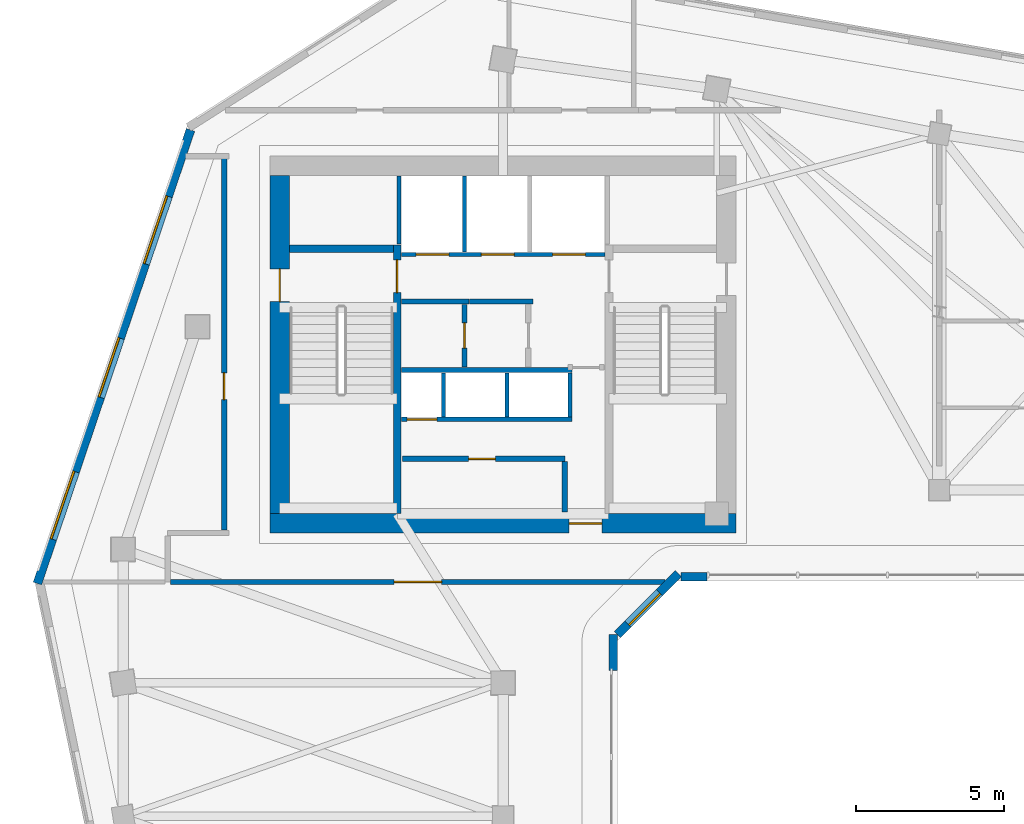
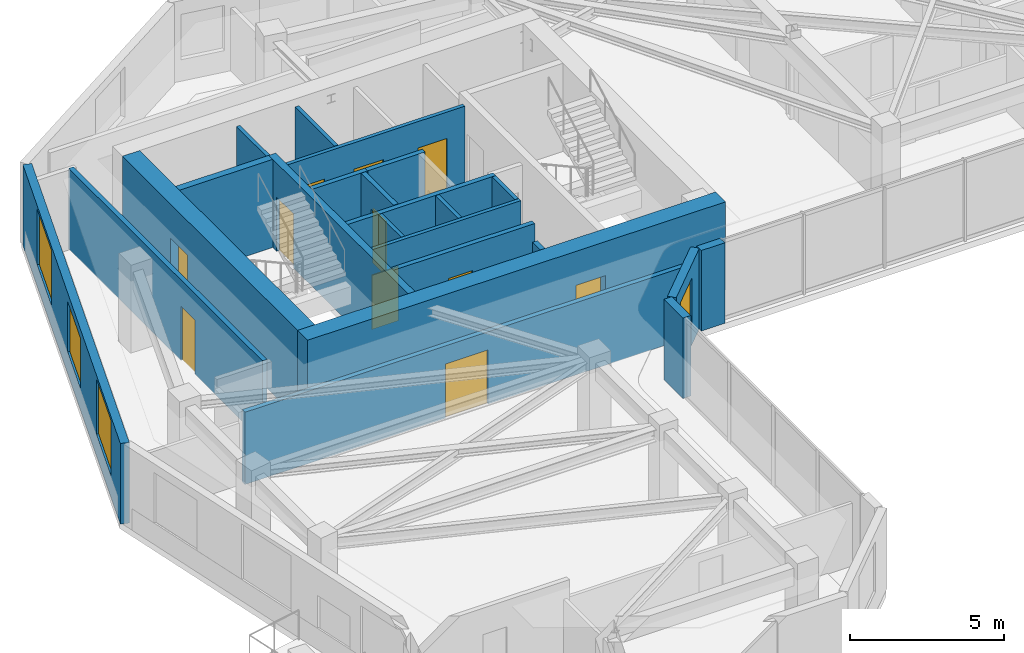
# One storey, part 5 of 10: 23 walls, 11 doors, 4 windows, 15 openings.
"""IFC4 building model written with IfcOpenShell, lengths in metres."""

from ifc_helpers import new_model, si_unit, direction, frame, frame_2d, origin, place, context, subcontext, project, spatial, rectangle, extrude, source, transform, mapped, material, layer, layer_set, type_object, element, fill, save


model = new_model("IFC4")

# Units and contexts
model_context = context("Model", 3, precision=1e-05, world=origin(), true_north=direction((0.0, 1.0)))
body_context = subcontext(model_context, "Body", "Model", "MODEL_VIEW")
ifc_project = project(units=[si_unit("LENGTHUNIT", "METRE"), si_unit("AREAUNIT", "SQUARE_METRE"), si_unit("VOLUMEUNIT", "CUBIC_METRE"), si_unit("PLANEANGLEUNIT", "RADIAN"), si_unit("MASSUNIT", "GRAM", prefix="KILO")], contexts=[model_context])

# Site, building, storey
site_placement = place(None, origin())
site = spatial("IfcSite", under=ifc_project, at=site_placement, CompositionType="ELEMENT")
building_placement = place(site_placement, origin())
building = spatial("IfcBuilding", under=site, at=building_placement, Name="Calvemar Wedge Station Tower", CompositionType="ELEMENT")
storey_placement = place(building_placement, frame((0.0, 0.0, 207.89990234375)))
storey = spatial("IfcBuildingStorey", under=building, at=storey_placement, Name="L52", CompositionType="ELEMENT", Elevation=207.89990234375)

# Wall, opening, door
ifc_material_1 = material(Name="Concrete C50", Category="concrete")
ifc_layer_1 = layer(ifc_material_1, 0.260009765625)
ifc_layer_set_1 = layer_set([ifc_layer_1], Name="Concrete C50")
wall_type_1 = type_object("IfcWallType", Name="SW-CORE-260", PredefinedType="SHEAR", material=ifc_layer_set_1)
wall_1_placement = place(storey_placement, frame((20.22998046875, 34.199951171875, 0.0), z_axis=(0.0, 0.0, 1.0), x_axis=(0.0, 1.0, 0.0)))
wall_1 = element("IfcWall", 1, at=wall_1_placement, inside=storey, type_object=wall_type_1, Name="Storey L52 Core Shear Wall SPINE-W", PredefinedType="SHEAR", context=body_context, shape_type="SweptSolid", body=[
    extrude(rectangle(XDim=9.06005859375, YDim=0.260009765625, at=frame_2d((4.530029296875, 0.0))), origin(), (0.0, 0.0, 1.0), 3.5),
])
shared_shape_1 = source(origin(), body_context, "Body", "SweptSolid", [
    extrude(rectangle(XDim=1.10009765625, YDim=2.14990234375, at=frame_2d((0.550048828125, 1.074951171875))), frame((0.0, 0.14013671875, 0.0), z_axis=(0.0, -1.0, 0.0), x_axis=(1.0, 0.0, 0.0)), (0.0, 0.0, 1.0), 0.280029296875),
])
opening_1_placement = place(wall_1_placement, frame((7.449951171875, 0.0, 0.0)))
opening_1 = element("IfcOpeningElement", 2, at=opening_1_placement, cuts=wall_1, Name="Opening FD-90", PredefinedType="OPENING", context=body_context, shape_type="MappedRepresentation", body=[
    mapped(shared_shape_1, transform((0.0, 0.0, 0.0), scale=1.0)),
])
ifc_material_2 = material(Name="Galvanized fire-rated steel door leaf P-90", Category="steel")
door_type_1 = type_object("IfcDoorType", Name="DR-FD90-1100", OperationType="NOTDEFINED", PredefinedType="DOOR", material=ifc_material_2)
shared_shape_2 = source(origin(), body_context, "Body", "SweptSolid", [
    extrude(rectangle(XDim=1.10009765625, YDim=2.14990234375, at=frame_2d((0.550048828125, 1.074951171875))), frame((0.0, 0.02490234375, 0.0), z_axis=(0.0, -1.0, 0.0), x_axis=(1.0, 0.0, 0.0)), (0.0, 0.0, 1.0), 0.050048828125),
])
door_1_placement = place(opening_1_placement, origin())
door_1 = element("IfcDoor", 3, at=door_1_placement, inside=storey, type_object=door_type_1, Name="L52 FF Lobby to Stair ST-C1 Door", OperationType="SINGLE_SWING_LEFT", OverallHeight=2.14990234375, OverallWidth=1.10009765625, PredefinedType="DOOR", context=body_context, shape_type="MappedRepresentation", body=[
    mapped(shared_shape_2, transform((0.0, 0.0, 0.0), scale=1.0)),
])
fill(opening_1, door_1)

# Wall
wall_2_placement = place(storey_placement, frame((16.60009765625, 43.1298828125, 0.0), z_axis=(0.0, 0.0, 1.0), x_axis=(1.0, 0.0, 0.0)))
element("IfcWall", 4, at=wall_2_placement, inside=storey, type_object=wall_type_1, Name="Storey L52 Core Shear Wall STC1-N", PredefinedType="SHEAR", context=body_context, shape_type="SweptSolid", body=[
    extrude(rectangle(XDim=3.5, YDim=0.260009765625, at=frame_2d((1.75, 0.0))), origin(), (0.0, 0.0, 1.0), 3.5),
])

# Wall, opening, door
ifc_material_3 = material(Name="Concrete C60", Category="concrete")
ifc_layer_2 = layer(ifc_material_3, 0.64990234375)
ifc_layer_set_2 = layer_set([ifc_layer_2], Name="Concrete C60")
wall_type_2 = type_object("IfcWallType", Name="SW-CORE-650", PredefinedType="SHEAR", material=ifc_layer_set_2)
wall_3_placement = place(storey_placement, frame((15.949951171875, 33.875, 0.0), z_axis=(0.0, 0.0, 1.0), x_axis=(1.0, 0.0, 0.0)))
wall_3 = element("IfcWall", 5, at=wall_3_placement, inside=storey, type_object=wall_type_2, Name="Storey L52 Core Shear Wall S", PredefinedType="SHEAR", context=body_context, shape_type="SweptSolid", body=[
    extrude(rectangle(XDim=15.699951171875, YDim=0.64990234375, at=frame_2d((7.85009765625, 0.0))), origin(), (0.0, 0.0, 1.0), 3.5),
])
shared_shape_3 = source(origin(), body_context, "Body", "SweptSolid", [
    extrude(rectangle(XDim=1.10009765625, YDim=2.14990234375, at=frame_2d((0.550048828125, 1.074951171875))), frame((0.0, 0.3349609375, 0.0), z_axis=(0.0, -1.0, 0.0), x_axis=(1.0, 0.0, 0.0)), (0.0, 0.0, 1.0), 0.669921875),
])
opening_2_placement = place(wall_3_placement, frame((10.080078125, 0.0, 0.0)))
opening_2 = element("IfcOpeningElement", 6, at=opening_2_placement, cuts=wall_3, Name="Opening FD-90", PredefinedType="OPENING", context=body_context, shape_type="MappedRepresentation", body=[
    mapped(shared_shape_3, transform((0.0, 0.0, 0.0), scale=1.0)),
])
door_2_placement = place(opening_2_placement, origin())
door_2 = element("IfcDoor", 7, at=door_2_placement, inside=storey, type_object=door_type_1, Name="L52 Passenger Lift Lobby Door", OperationType="SINGLE_SWING_LEFT", OverallHeight=2.14990234375, OverallWidth=1.10009765625, PredefinedType="DOOR", context=body_context, shape_type="MappedRepresentation", body=[
    mapped(shared_shape_2, transform((0.0, 0.0, 0.0), scale=1.0)),
])
fill(opening_2, door_2)

wall_4_placement = place(storey_placement, frame((16.27490234375, 34.199951171875, 0.0), z_axis=(0.0, 0.0, 1.0), x_axis=(0.0, 1.0, 0.0)))
wall_4 = element("IfcWall", 8, at=wall_4_placement, inside=storey, type_object=wall_type_2, Name="Storey L52 Core Shear Wall W", PredefinedType="SHEAR", context=body_context, shape_type="SweptSolid", body=[
    extrude(rectangle(XDim=11.400146484375, YDim=0.64990234375, at=frame_2d((5.7001953125, 0.0))), origin(), (0.0, 0.0, 1.0), 3.5),
])
opening_3_placement = place(wall_4_placement, frame((7.14990234375, 0.0, 0.0)))
opening_3 = element("IfcOpeningElement", 9, at=opening_3_placement, cuts=wall_4, Name="Opening FD-90", PredefinedType="OPENING", context=body_context, shape_type="MappedRepresentation", body=[
    mapped(shared_shape_3, transform((0.0, 0.0, 0.0), scale=1.0)),
])
door_3_placement = place(opening_3_placement, origin())
door_3 = element("IfcDoor", 10, at=door_3_placement, inside=storey, type_object=door_type_1, Name="L52 West Corridor to Exit Stair ST-C1 Door", OperationType="SINGLE_SWING_LEFT", OverallHeight=2.14990234375, OverallWidth=1.10009765625, PredefinedType="DOOR", context=body_context, shape_type="MappedRepresentation", body=[
    mapped(shared_shape_2, transform((0.0, 0.0, 0.0), scale=1.0)),
])
fill(opening_3, door_3)

# Walls
ifc_material_4 = material(Name="Double-stud fire-rated corridor partition")
ifc_layer_3 = layer(ifc_material_4, 0.179931640625)
ifc_layer_set_3 = layer_set([ifc_layer_3], Name="Double-stud fire-rated corridor partition")
wall_type_3 = type_object("IfcWallType", Name="W-CORR-180", PredefinedType="PARTITIONING", material=ifc_layer_set_3)
wall_5_placement = place(storey_placement, frame((22.659912109375, 41.35009765625, 0.0), z_axis=(0.0, 0.0, 1.0), x_axis=(-1.0, 0.0, 0.0)))
element("IfcWall", 11, at=wall_5_placement, inside=storey, type_object=wall_type_3, Name="Storey L52 Interior Partition WL-L52-001", PredefinedType="PARTITIONING", context=body_context, shape_type="SweptSolid", body=[
    extrude(rectangle(XDim=2.280029296875, YDim=0.179931640625, at=frame_2d((1.14013671875, 0.0))), origin(), (0.0, 0.0, 1.0), 3.2001953125),
])
wall_6_placement = place(storey_placement, frame((24.81005859375, 41.35009765625, 0.0), z_axis=(0.0, 0.0, 1.0), x_axis=(-1.0, 0.0, 0.0)))
element("IfcWall", 12, at=wall_6_placement, inside=storey, type_object=wall_type_3, Name="Storey L52 Interior Partition WL-L52-002", PredefinedType="PARTITIONING", context=body_context, shape_type="SweptSolid", body=[
    extrude(rectangle(XDim=2.14794921875, YDim=0.179931640625, at=frame_2d((1.073974609375, 0.0))), origin(), (0.0, 0.0, 1.0), 3.2001953125),
])

# Wall, opening, door
wall_7_placement = place(storey_placement, frame((22.5, 41.256103515625, 0.0), z_axis=(0.0, 0.0, 1.0), x_axis=(0.0, -1.0, 0.0)))
wall_7 = element("IfcWall", 13, at=wall_7_placement, inside=storey, type_object=wall_type_3, Name="Storey L52 Interior Partition WL-L52-003", PredefinedType="PARTITIONING", context=body_context, shape_type="SweptSolid", body=[
    extrude(rectangle(XDim=2.106201171875, YDim=0.179931640625, at=frame_2d((1.05322265625, 0.0))), origin(), (0.0, 0.0, 1.0), 3.2001953125),
])
shared_shape_4 = source(origin(), body_context, "Body", "SweptSolid", [
    extrude(rectangle(XDim=0.85009765625, YDim=2.14990234375, at=frame_2d((0.425048828125, 1.074951171875))), frame((0.0, 0.10009765625, 0.0), z_axis=(0.0, -1.0, 0.0), x_axis=(1.0, 0.0, 0.0)), (0.0, 0.0, 1.0), 0.199951171875),
])
opening_4_placement = place(wall_7_placement, frame((0.6279296875, 0.0, 0.0)))
opening_4 = element("IfcOpeningElement", 14, at=opening_4_placement, cuts=wall_7, Name="Opening FD-60S", PredefinedType="OPENING", context=body_context, shape_type="MappedRepresentation", body=[
    mapped(shared_shape_4, transform((0.0, 0.0, 0.0), scale=1.0)),
])
ifc_material_5 = material(Name="Fire-rated steel and hardwood service door EI 60", Category="steel")
door_type_2 = type_object("IfcDoorType", Name="DR-CORE-FD60-850", OperationType="NOTDEFINED", PredefinedType="DOOR", material=ifc_material_5)
shared_shape_5 = source(origin(), body_context, "Body", "SweptSolid", [
    extrude(rectangle(XDim=0.85009765625, YDim=2.14990234375, at=frame_2d((0.425048828125, 1.074951171875))), frame((0.0, 0.02490234375, 0.0), z_axis=(0.0, -1.0, 0.0), x_axis=(1.0, 0.0, 0.0)), (0.0, 0.0, 1.0), 0.050048828125),
])
door_4_placement = place(opening_4_placement, origin())
door_4 = element("IfcDoor", 15, at=door_4_placement, inside=storey, type_object=door_type_2, Name="L52 IT and Telecoms Room Door", OperationType="SINGLE_SWING_RIGHT", OverallHeight=2.14990234375, OverallWidth=0.85009765625, PredefinedType="DOOR", context=body_context, shape_type="MappedRepresentation", body=[
    mapped(shared_shape_5, transform((0.0, 0.0, 0.0), scale=1.0)),
])
fill(opening_4, door_4)

wall_8_placement = place(storey_placement, frame((20.419921875, 36.050048828125, 0.0), z_axis=(0.0, 0.0, 1.0), x_axis=(1.0, 0.0, 0.0)))
wall_8 = element("IfcWall", 16, at=wall_8_placement, inside=storey, type_object=wall_type_3, Name="Storey L52 Interior Partition WL-L52-006", PredefinedType="PARTITIONING", context=body_context, shape_type="SweptSolid", body=[
    extrude(rectangle(XDim=5.4599609375, YDim=0.179931640625, at=frame_2d((2.72998046875, 0.0))), origin(), (0.0, 0.0, 1.0), 3.2001953125),
])
shared_shape_6 = source(origin(), body_context, "Body", "SweptSolid", [
    extrude(rectangle(XDim=0.89990234375, YDim=2.14990234375, at=frame_2d((0.449951171875, 1.074951171875))), frame((0.0, 0.10009765625, 0.0), z_axis=(0.0, -1.0, 0.0), x_axis=(1.0, 0.0, 0.0)), (0.0, 0.0, 1.0), 0.199951171875),
])
opening_5_placement = place(wall_8_placement, frame((2.219482421875, 0.0, 0.0)))
opening_5 = element("IfcOpeningElement", 17, at=opening_5_placement, cuts=wall_8, Name="Opening FD-60", PredefinedType="OPENING", context=body_context, shape_type="MappedRepresentation", body=[
    mapped(shared_shape_6, transform((0.0, 0.0, 0.0), scale=1.0)),
])
ifc_material_6 = material(Name="Fire-rated acoustic timber-core entrance door EI 60", Category="wood")
door_type_3 = type_object("IfcDoorType", Name="DR-FD60-900", OperationType="NOTDEFINED", PredefinedType="DOOR", material=ifc_material_6)
shared_shape_7 = source(origin(), body_context, "Body", "SweptSolid", [
    extrude(rectangle(XDim=0.89990234375, YDim=2.14990234375, at=frame_2d((0.449951171875, 1.074951171875))), frame((0.0, 0.02490234375, 0.0), z_axis=(0.0, -1.0, 0.0), x_axis=(1.0, 0.0, 0.0)), (0.0, 0.0, 1.0), 0.050048828125),
])
door_5_placement = place(opening_5_placement, origin())
door_5 = element("IfcDoor", 18, at=door_5_placement, inside=storey, type_object=door_type_3, Name="L52 Parcel and Resident Store Door", OperationType="SINGLE_SWING_LEFT", OverallHeight=2.14990234375, OverallWidth=0.89990234375, PredefinedType="DOOR", context=body_context, shape_type="MappedRepresentation", body=[
    mapped(shared_shape_7, transform((0.0, 0.0, 0.0), scale=1.0)),
])
fill(opening_5, door_5)

# Wall
wall_9_placement = place(storey_placement, frame((25.8798828125, 35.9560546875, 0.0), z_axis=(0.0, 0.0, 1.0), x_axis=(0.0, -1.0, 0.0)))
element("IfcWall", 19, at=wall_9_placement, inside=storey, type_object=wall_type_3, Name="Storey L52 Interior Partition WL-L52-007", PredefinedType="PARTITIONING", context=body_context, shape_type="SweptSolid", body=[
    extrude(rectangle(XDim=1.7060546875, YDim=0.179931640625, at=frame_2d((0.85302734375, 0.0))), origin(), (0.0, 0.0, 1.0), 2.4921875),
])

# Wall, opening, door
wall_10_placement = place(storey_placement, frame((29.26513671875, 31.89990234375, 0.0), z_axis=(0.0, 0.0, 1.0), x_axis=(-1.0, 0.0, 0.0)))
wall_10 = element("IfcWall", 20, at=wall_10_placement, inside=storey, type_object=wall_type_3, Name="Storey L52 Interior Partition WL-L52-010", PredefinedType="PARTITIONING", context=body_context, shape_type="SweptSolid", body=[
    extrude(rectangle(XDim=16.671142578125, YDim=0.179931640625, at=frame_2d((8.33544921875, 0.0))), origin(), (0.0, 0.0, 1.0), 2.869140625),
])
shared_shape_8 = source(origin(), body_context, "Body", "SweptSolid", [
    extrude(rectangle(XDim=1.60009765625, YDim=2.14990234375, at=frame_2d((0.800048828125, 1.074951171875))), frame((0.0, 0.10009765625, 0.0), z_axis=(0.0, -1.0, 0.0), x_axis=(1.0, 0.0, 0.0)), (0.0, 0.0, 1.0), 0.199951171875),
])
opening_6_placement = place(wall_10_placement, frame((7.53564453125, 0.0, 0.0)))
opening_6 = element("IfcOpeningElement", 21, at=opening_6_placement, cuts=wall_10, Name="Opening DD-160", PredefinedType="OPENING", context=body_context, shape_type="MappedRepresentation", body=[
    mapped(shared_shape_8, transform((0.0, 0.0, 0.0), scale=1.0)),
])
ifc_material_7 = material(Name="Double-leaf fire-rated lobby door EI 60")
door_type_4 = type_object("IfcDoorType", Name="DR-DBL-1600", OperationType="DOUBLE_DOOR_SINGLE_SWING", PredefinedType="DOOR", material=ifc_material_7)
shared_shape_9 = source(origin(), body_context, "Body", "SweptSolid", [
    extrude(rectangle(XDim=1.60009765625, YDim=2.14990234375, at=frame_2d((0.800048828125, 1.074951171875))), frame((0.0, 0.02490234375, 0.0), z_axis=(0.0, -1.0, 0.0), x_axis=(1.0, 0.0, 0.0)), (0.0, 0.0, 1.0), 0.050048828125),
])
door_6_placement = place(opening_6_placement, origin())
door_6 = element("IfcDoor", 22, at=door_6_placement, inside=storey, type_object=door_type_4, Name="L52 Resident Banquet Dining Hall Door", OperationType="SINGLE_SWING_RIGHT", OverallHeight=2.14990234375, OverallWidth=1.60009765625, PredefinedType="DOOR", context=body_context, shape_type="MappedRepresentation", body=[
    mapped(shared_shape_9, transform((0.0, 0.0, 0.0), scale=1.0)),
])
fill(opening_6, door_6)

wall_11_placement = place(storey_placement, frame((14.39990234375, 33.64404296875, 0.0), z_axis=(0.0, 0.0, 1.0), x_axis=(0.0, 1.0, 0.0)))
wall_11 = element("IfcWall", 23, at=wall_11_placement, inside=storey, type_object=wall_type_3, Name="Storey L52 Interior Partition WL-L52-011", PredefinedType="PARTITIONING", context=body_context, shape_type="SweptSolid", body=[
    extrude(rectangle(XDim=12.60595703125, YDim=0.179931640625, at=frame_2d((6.302978515625, 0.0))), origin(), (0.0, 0.0, 1.0), 3.2001953125),
])
opening_7_placement = place(wall_11_placement, frame((4.399169921875, 0.0, 0.0)))
opening_7 = element("IfcOpeningElement", 24, at=opening_7_placement, cuts=wall_11, Name="Opening D-01", PredefinedType="OPENING", context=body_context, shape_type="MappedRepresentation", body=[
    mapped(shared_shape_6, transform((0.0, 0.0, 0.0), scale=1.0)),
])
ifc_material_8 = material(Name="Architectural hardwood acoustic swing door", Category="wood")
door_type_5 = type_object("IfcDoorType", Name="DR-INT-900", OperationType="NOTDEFINED", PredefinedType="DOOR", material=ifc_material_8)
shared_shape_10 = source(origin(), body_context, "Body", "SweptSolid", [
    extrude(rectangle(XDim=0.89990234375, YDim=2.14990234375, at=frame_2d((0.449951171875, 1.074951171875))), frame((0.0, 0.02490234375, 0.0), z_axis=(0.0, -1.0, 0.0), x_axis=(1.0, 0.0, 0.0)), (0.0, 0.0, 1.0), 0.050048828125),
])
door_7_placement = place(opening_7_placement, origin())
door_7 = element("IfcDoor", 25, at=door_7_placement, inside=storey, type_object=door_type_5, Name="L52 Resident Reading Lounge Door", OperationType="SINGLE_SWING_RIGHT", OverallHeight=2.14990234375, OverallWidth=0.89990234375, PredefinedType="DOOR", context=body_context, shape_type="MappedRepresentation", body=[
    mapped(shared_shape_10, transform((0.0, 0.0, 0.0), scale=1.0)),
])
fill(opening_7, door_7)

# Wall
ifc_material_9 = material(Name="Precast concrete C45", Category="concrete")
ifc_layer_4 = layer(ifc_material_9, 0.300048828125)
ifc_layer_set_4 = layer_set([ifc_layer_4], Name="Precast concrete C45")
wall_type_4 = type_object("IfcWallType", Name="W-EXT-GFRC-300", PredefinedType="SOLIDWALL", material=ifc_layer_set_4)
wall_12_placement = place(storey_placement, frame((27.513916015625, 28.90869140625, 0.0), z_axis=(0.0, 0.0, 1.0), x_axis=(0.0, 1.0, 0.0)))
element("IfcWall", 26, at=wall_12_placement, inside=storey, type_object=wall_type_4, Name="Storey L52 Bronze GFRC Corner Pier 4B", PredefinedType="SOLIDWALL", context=body_context, shape_type="SweptSolid", body=[
    extrude(rectangle(XDim=1.227294921875, YDim=0.300048828125, at=frame_2d((0.61376953125, 0.0))), origin(), (0.0, 0.0, 1.0), 3.2001953125),
])

# Wall, opening, window
wall_13_placement = place(storey_placement, frame((27.652099609375, 30.1240234375, 0.0), z_axis=(0.0, 0.0, 1.0), x_axis=(0.707064797706, 0.707148762175, 0.0)))
wall_13 = element("IfcWall", 27, at=wall_13_placement, inside=storey, type_object=wall_type_4, Name="Storey L52 Bronze GFRC Exterior Wall 5", PredefinedType="SOLIDWALL", context=body_context, shape_type="SweptSolid", body=[
    extrude(rectangle(XDim=2.90771484375, YDim=0.300048828125, at=frame_2d((1.453857421875, 0.0))), origin(), (0.0, 0.0, 1.0), 3.2001953125),
])
shared_shape_11 = source(origin(), body_context, "Body", "SweptSolid", [
    extrude(rectangle(XDim=1.5, YDim=1.800048828125, at=frame_2d((0.75, 0.89990234375))), frame((0.0, 0.16015625, 0.0), z_axis=(0.0, -1.0, 0.0), x_axis=(1.0, 0.0, 0.0)), (0.0, 0.0, 1.0), 0.320068359375),
])
opening_8_placement = place(wall_13_placement, frame((0.498046875, 0.0, 0.85009765625)))
opening_8 = element("IfcOpeningElement", 28, at=opening_8_placement, cuts=wall_13, Name="Opening W3", PredefinedType="OPENING", context=body_context, shape_type="MappedRepresentation", body=[
    mapped(shared_shape_11, transform((0.0, 0.0, 0.0), scale=1.0)),
])
ifc_material_10 = material(Name="Low-E laminated insulated glass", Category="glass")
window_type_1 = type_object("IfcWindowType", Name="WIN-EXT-3", PartitioningType="SINGLE_PANEL", PredefinedType="WINDOW", material=ifc_material_10)
shared_shape_12 = source(origin(), body_context, "Body", "SweptSolid", [
    extrude(rectangle(XDim=1.5, YDim=1.800048828125, at=frame_2d((0.75, 0.89990234375))), frame((0.0, -0.014892578125, 0.0), z_axis=(0.0, -1.0, 0.0), x_axis=(1.0, 0.0, 0.0)), (0.0, 0.0, 1.0), 0.06005859375),
])
window_1_placement = place(opening_8_placement, origin())
window_1 = element("IfcWindow", 29, at=window_1_placement, inside=storey, type_object=window_type_1, Name="Storey L52 Recessed Window 5.1", OverallHeight=1.800048828125, OverallWidth=1.5, PartitioningType="SINGLE_PANEL", PredefinedType="WINDOW", context=body_context, shape_type="MappedRepresentation", body=[
    mapped(shared_shape_12, transform((0.0, 0.0, 0.0), scale=1.0)),
])
fill(opening_8, window_1)

# Wall
wall_14_placement = place(storey_placement, frame((29.797119140625, 32.073974609375, 0.0), z_axis=(0.0, 0.0, 1.0), x_axis=(1.0, 0.0, 0.0)))
element("IfcWall", 30, at=wall_14_placement, inside=storey, type_object=wall_type_4, Name="Storey L52 Bronze GFRC Corner Pier 6A", PredefinedType="SOLIDWALL", context=body_context, shape_type="SweptSolid", body=[
    extrude(rectangle(XDim=0.88232421875, YDim=0.300048828125, at=frame_2d((0.441162109375, 0.0))), origin(), (0.0, 0.0, 1.0), 3.2001953125),
])

# Wall, openings, windows
wall_15_placement = place(storey_placement, frame((13.2685546875, 47.1337890625, 0.0), z_axis=(0.0, 0.0, 1.0), x_axis=(-0.319920776449, -0.947444297464, 0.0)))
wall_15 = element("IfcWall", 31, at=wall_15_placement, inside=storey, type_object=wall_type_4, Name="Storey L52 Bronze GFRC Exterior Wall 12", PredefinedType="SOLIDWALL", context=body_context, shape_type="SweptSolid", body=[
    extrude(rectangle(XDim=16.13330078125, YDim=0.300048828125, at=frame_2d((8.066650390625, 0.0))), origin(), (0.0, 0.0, 1.0), 3.2001953125),
])
shared_shape_13 = source(origin(), body_context, "Body", "SweptSolid", [
    extrude(rectangle(XDim=2.39990234375, YDim=2.199951171875, at=frame_2d((1.199951171875, 1.10009765625))), frame((0.0, 0.16015625, 0.0), z_axis=(0.0, -1.0, 0.0), x_axis=(1.0, 0.0, 0.0)), (0.0, 0.0, 1.0), 0.320068359375),
])
opening_9_placement = place(wall_15_placement, frame((2.363037109375, 0.0, 0.85009765625)))
opening_9 = element("IfcOpeningElement", 32, at=opening_9_placement, cuts=wall_15, Name="Opening W1", PredefinedType="OPENING", context=body_context, shape_type="MappedRepresentation", body=[
    mapped(shared_shape_13, transform((0.0, 0.0, 0.0), scale=1.0)),
])
shared_shape_14 = source(origin(), body_context, "Body", "SweptSolid", [
    extrude(rectangle(XDim=2.10009765625, YDim=2.0, at=frame_2d((1.050048828125, 1.0))), frame((0.0, 0.16015625, 0.0), z_axis=(0.0, -1.0, 0.0), x_axis=(1.0, 0.0, 0.0)), (0.0, 0.0, 1.0), 0.320068359375),
])
opening_10_placement = place(wall_15_placement, frame((7.409912109375, 0.0, 0.85009765625)))
opening_10 = element("IfcOpeningElement", 33, at=opening_10_placement, cuts=wall_15, Name="Opening W4", PredefinedType="OPENING", context=body_context, shape_type="MappedRepresentation", body=[
    mapped(shared_shape_14, transform((0.0, 0.0, 0.0), scale=1.0)),
])
opening_11_placement = place(wall_15_placement, frame((12.156982421875, 0.0, 0.85009765625)))
opening_11 = element("IfcOpeningElement", 34, at=opening_11_placement, cuts=wall_15, Name="Opening W1", PredefinedType="OPENING", context=body_context, shape_type="MappedRepresentation", body=[
    mapped(shared_shape_13, transform((0.0, 0.0, 0.0), scale=1.0)),
])
window_type_2 = type_object("IfcWindowType", Name="WIN-EXT-4", PartitioningType="SINGLE_PANEL", PredefinedType="WINDOW", material=ifc_material_10)
shared_shape_15 = source(origin(), body_context, "Body", "SweptSolid", [
    extrude(rectangle(XDim=2.10009765625, YDim=2.0, at=frame_2d((1.050048828125, 1.0))), frame((0.0, -0.014892578125, 0.0), z_axis=(0.0, -1.0, 0.0), x_axis=(1.0, 0.0, 0.0)), (0.0, 0.0, 1.0), 0.06005859375),
])
window_2_placement = place(opening_10_placement, origin())
window_2 = element("IfcWindow", 35, at=window_2_placement, inside=storey, type_object=window_type_2, Name="Storey L52 Recessed Window 12.2", OverallHeight=2.0, OverallWidth=2.10009765625, PartitioningType="SINGLE_PANEL", PredefinedType="WINDOW", context=body_context, shape_type="MappedRepresentation", body=[
    mapped(shared_shape_15, transform((0.0, 0.0, 0.0), scale=1.0)),
])
fill(opening_10, window_2)
window_type_3 = type_object("IfcWindowType", Name="WIN-EXT-1", PartitioningType="SINGLE_PANEL", PredefinedType="WINDOW", material=ifc_material_10)
shared_shape_16 = source(origin(), body_context, "Body", "SweptSolid", [
    extrude(rectangle(XDim=2.39990234375, YDim=2.199951171875, at=frame_2d((1.199951171875, 1.10009765625))), frame((0.0, -0.014892578125, 0.0), z_axis=(0.0, -1.0, 0.0), x_axis=(1.0, 0.0, 0.0)), (0.0, 0.0, 1.0), 0.06005859375),
])
window_3_placement = place(opening_9_placement, origin())
window_3 = element("IfcWindow", 36, at=window_3_placement, inside=storey, type_object=window_type_3, Name="Storey L52 Recessed Window 12.1", OverallHeight=2.199951171875, OverallWidth=2.39990234375, PartitioningType="SINGLE_PANEL", PredefinedType="WINDOW", context=body_context, shape_type="MappedRepresentation", body=[
    mapped(shared_shape_16, transform((0.0, 0.0, 0.0), scale=1.0)),
])
fill(opening_9, window_3)
window_4_placement = place(opening_11_placement, origin())
window_4 = element("IfcWindow", 37, at=window_4_placement, inside=storey, type_object=window_type_3, Name="Storey L52 Recessed Window 12.3", OverallHeight=2.199951171875, OverallWidth=2.39990234375, PartitioningType="SINGLE_PANEL", PredefinedType="WINDOW", context=body_context, shape_type="MappedRepresentation", body=[
    mapped(shared_shape_16, transform((0.0, 0.0, 0.0), scale=1.0)),
])
fill(opening_11, window_4)

# Wall, openings, doors
ifc_material_11 = material(Name="Reinforced concrete blockwork lift shaft wall", Category="masonry")
ifc_layer_5 = layer(ifc_material_11, 0.139892578125)
ifc_layer_set_5 = layer_set([ifc_layer_5], Name="Reinforced concrete blockwork lift shaft wall")
wall_type_5 = type_object("IfcWallType", Name="W-LIFT-160", PredefinedType="SOLIDWALL", material=ifc_layer_set_5)
wall_16_placement = place(storey_placement, frame((20.3701171875, 42.929931640625, 0.0), z_axis=(0.0, 0.0, 1.0), x_axis=(1.0, 0.0, 0.0)))
wall_16 = element("IfcWall", 38, at=wall_16_placement, inside=storey, type_object=wall_type_5, Name="Storey L52 Firefighting and Service Lift Shaft Front Wall", PredefinedType="SOLIDWALL", context=body_context, shape_type="SweptSolid", body=[
    extrude(rectangle(XDim=6.85986328125, YDim=0.139892578125, at=frame_2d((3.429931640625, 0.0))), origin(), (0.0, 0.0, 1.0), 3.2001953125),
])
shared_shape_17 = source(origin(), body_context, "Body", "SweptSolid", [
    extrude(rectangle(XDim=1.10009765625, YDim=2.14990234375, at=frame_2d((0.550048828125, 1.074951171875))), frame((0.0, 0.080078125, 0.0), z_axis=(0.0, -1.0, 0.0), x_axis=(1.0, 0.0, 0.0)), (0.0, 0.0, 1.0), 0.159912109375),
])
opening_12_placement = place(wall_16_placement, frame((0.5, 0.0, 0.0)))
opening_12 = element("IfcOpeningElement", 39, at=opening_12_placement, cuts=wall_16, Name="Opening LD-FF", PredefinedType="OPENING", context=body_context, shape_type="MappedRepresentation", body=[
    mapped(shared_shape_17, transform((0.0, 0.0, 0.0), scale=1.0)),
])
opening_13_placement = place(wall_16_placement, frame((2.699951171875, 0.0, 0.0)))
opening_13 = element("IfcOpeningElement", 40, at=opening_13_placement, cuts=wall_16, Name="Opening LD-FF", PredefinedType="OPENING", context=body_context, shape_type="MappedRepresentation", body=[
    mapped(shared_shape_17, transform((0.0, 0.0, 0.0), scale=1.0)),
])
opening_14_placement = place(wall_16_placement, frame((5.10009765625, 0.0, 0.0)))
opening_14 = element("IfcOpeningElement", 41, at=opening_14_placement, cuts=wall_16, Name="Opening LD-STN", PredefinedType="OPENING", context=body_context, shape_type="MappedRepresentation", body=[
    mapped(shared_shape_17, transform((0.0, 0.0, 0.0), scale=1.0)),
])
ifc_material_12 = material(Name="Stainless steel firefighting lift sliding landing door", Category="steel")
door_type_6 = type_object("IfcDoorType", Name="DR-LD-FF-1100", OperationType="SLIDING_TO_LEFT", PredefinedType="DOOR", material=ifc_material_12)
shared_shape_18 = source(origin(), body_context, "Body", "SweptSolid", [
    extrude(rectangle(XDim=1.10009765625, YDim=2.14990234375, at=frame_2d((0.550048828125, 1.074951171875))), frame((0.0, 0.02490234375, 0.0), z_axis=(0.0, -1.0, 0.0), x_axis=(1.0, 0.0, 0.0)), (0.0, 0.0, 1.0), 0.050048828125),
])
door_8_placement = place(opening_12_placement, origin())
door_8 = element("IfcDoor", 42, at=door_8_placement, inside=storey, type_object=door_type_6, Name="L52 Lift FF-01 Sliding Landing Door", OperationType="SLIDING_TO_LEFT", OverallHeight=2.14990234375, OverallWidth=1.10009765625, PredefinedType="DOOR", context=body_context, shape_type="MappedRepresentation", body=[
    mapped(shared_shape_18, transform((0.0, 0.0, 0.0), scale=1.0)),
])
fill(opening_12, door_8)
door_9_placement = place(opening_13_placement, origin())
door_9 = element("IfcDoor", 43, at=door_9_placement, inside=storey, type_object=door_type_6, Name="L52 Lift FF-02 Sliding Landing Door", OperationType="SLIDING_TO_RIGHT", OverallHeight=2.14990234375, OverallWidth=1.10009765625, PredefinedType="DOOR", context=body_context, shape_type="MappedRepresentation", body=[
    mapped(shared_shape_18, transform((0.0, 0.0, 0.0), scale=1.0)),
])
fill(opening_13, door_9)
ifc_material_13 = material(Name="Stainless steel transit lift sliding landing door", Category="steel")
door_type_7 = type_object("IfcDoorType", Name="DR-LD-PAX-1100", OperationType="SLIDING_TO_LEFT", PredefinedType="DOOR", material=ifc_material_13)
shared_shape_19 = source(origin(), body_context, "Body", "SweptSolid", [
    extrude(rectangle(XDim=1.10009765625, YDim=2.14990234375, at=frame_2d((0.550048828125, 1.074951171875))), frame((0.0, 0.02490234375, 0.0), z_axis=(0.0, -1.0, 0.0), x_axis=(1.0, 0.0, 0.0)), (0.0, 0.0, 1.0), 0.050048828125),
])
door_10_placement = place(opening_14_placement, origin())
door_10 = element("IfcDoor", 44, at=door_10_placement, inside=storey, type_object=door_type_7, Name="L52 Lift SV-01 Sliding Landing Door", OperationType="SLIDING_TO_LEFT", OverallHeight=2.14990234375, OverallWidth=1.10009765625, PredefinedType="DOOR", context=body_context, shape_type="MappedRepresentation", body=[
    mapped(shared_shape_19, transform((0.0, 0.0, 0.0), scale=1.0)),
])
fill(opening_14, door_10)

# Walls
wall_17_placement = place(storey_placement, frame((20.2900390625, 43.280029296875, 0.0), z_axis=(0.0, 0.0, 1.0), x_axis=(0.0, 1.0, 0.0)))
element("IfcWall", 45, at=wall_17_placement, inside=storey, type_object=wall_type_5, Name="Storey L52 Firefighting Lift Shaft Enclosure Wall W", PredefinedType="SOLIDWALL", context=body_context, shape_type="SweptSolid", body=[
    extrude(rectangle(XDim=2.300048828125, YDim=0.139892578125, at=frame_2d((1.14990234375, 0.0))), origin(), (0.0, 0.0, 1.0), 3.2001953125),
])
wall_18_placement = place(storey_placement, frame((22.5, 43.02001953125, 0.0), z_axis=(0.0, 0.0, 1.0), x_axis=(0.0, 1.0, 0.0)))
element("IfcWall", 46, at=wall_18_placement, inside=storey, type_object=wall_type_5, Name="Storey L52 Firefighting Lift Shaft Enclosure Wall D1", PredefinedType="SOLIDWALL", context=body_context, shape_type="SweptSolid", body=[
    extrude(rectangle(XDim=2.56005859375, YDim=0.139892578125, at=frame_2d((1.280029296875, 0.0))), origin(), (0.0, 0.0, 1.0), 3.2001953125),
])

# Wall, opening, door
wall_19_placement = place(storey_placement, frame((20.3798828125, 37.3798828125, 0.0), z_axis=(0.0, 0.0, 1.0), x_axis=(1.0, 0.0, 0.0)))
wall_19 = element("IfcWall", 47, at=wall_19_placement, inside=storey, type_object=wall_type_5, Name="Storey L52 Upper Passenger Lift Bank Front Wall", PredefinedType="SOLIDWALL", context=body_context, shape_type="SweptSolid", body=[
    extrude(rectangle(XDim=5.75, YDim=0.139892578125, at=frame_2d((2.875, 0.0))), origin(), (0.0, 0.0, 1.0), 3.2001953125),
])
shared_shape_20 = source(origin(), body_context, "Body", "SweptSolid", [
    extrude(rectangle(XDim=1.0, YDim=2.14990234375, at=frame_2d((0.5, 1.074951171875))), frame((0.0, 0.080078125, 0.0), z_axis=(0.0, -1.0, 0.0), x_axis=(1.0, 0.0, 0.0)), (0.0, 0.0, 1.0), 0.159912109375),
])
opening_15_placement = place(wall_19_placement, frame((0.18994140625, 0.0, 0.0)))
opening_15 = element("IfcOpeningElement", 48, at=opening_15_placement, cuts=wall_19, Name="Opening LD-PAX", PredefinedType="OPENING", context=body_context, shape_type="MappedRepresentation", body=[
    mapped(shared_shape_20, transform((0.0, 0.0, 0.0), scale=1.0)),
])
ifc_material_14 = material(Name="Anodised bronze passenger lift sliding landing door")
door_type_8 = type_object("IfcDoorType", Name="DR-LD-PAX-1000", OperationType="SLIDING_TO_LEFT", PredefinedType="DOOR", material=ifc_material_14)
shared_shape_21 = source(origin(), body_context, "Body", "SweptSolid", [
    extrude(rectangle(XDim=1.0, YDim=2.14990234375, at=frame_2d((0.5, 1.074951171875))), frame((0.0, 0.02490234375, 0.0), z_axis=(0.0, -1.0, 0.0), x_axis=(1.0, 0.0, 0.0)), (0.0, 0.0, 1.0), 0.050048828125),
])
door_11_placement = place(opening_15_placement, origin())
door_11 = element("IfcDoor", 49, at=door_11_placement, inside=storey, type_object=door_type_8, Name="L52 Lift RH-01 Sliding Landing Door", OperationType="SLIDING_TO_LEFT", OverallHeight=2.14990234375, OverallWidth=1.0, PredefinedType="DOOR", context=body_context, shape_type="MappedRepresentation", body=[
    mapped(shared_shape_21, transform((0.0, 0.0, 0.0), scale=1.0)),
])
fill(opening_15, door_11)

# Walls
for number, where, z_axis, x_axis, name in (
    (50, (26.06005859375, 37.4599609375, 0.0), (0.0, 0.0, 1.0), (0.0, 1.0, 0.0), "Storey L52 Upper Passenger Lift Shaft Wall E"),
    (51, (21.794921875, 37.4599609375, 0.0), (0.0, 0.0, 1.0), (0.0, 1.0, 0.0), "Storey L52 Upper Passenger Lift Shaft Wall D1"),
    (52, (23.93505859375, 37.4599609375, 0.0), (0.0, 0.0, 1.0), (0.0, 1.0, 0.0), "Storey L52 Upper Passenger Lift Shaft Wall D2"),
):
    element("IfcWall", number, at=place(storey_placement, frame(where, z_axis=z_axis, x_axis=x_axis)), inside=storey, type_object=wall_type_5, Name=name, PredefinedType="SOLIDWALL", context=body_context, shape_type="SweptSolid", body=[
        extrude(rectangle(XDim=1.47998046875, YDim=0.139892578125, at=frame_2d((0.739990234375, 0.0))), origin(), (0.0, 0.0, 1.0), 3.2001953125),
    ])
ifc_material_15 = material(Name="Concrete blockwork and fireboard shaft wall", Category="masonry")
ifc_layer_6 = layer(ifc_material_15, 0.199951171875)
ifc_layer_set_6 = layer_set([ifc_layer_6], Name="Concrete blockwork and fireboard shaft wall")
wall_type_6 = type_object("IfcWallType", Name="W-SHAFT-200", PredefinedType="SOLIDWALL", material=ifc_layer_set_6)
wall_20_placement = place(storey_placement, frame((20.3798828125, 39.0400390625, 0.0), z_axis=(0.0, 0.0, 1.0), x_axis=(1.0, 0.0, 0.0)))
element("IfcWall", 53, at=wall_20_placement, inside=storey, type_object=wall_type_6, Name="Storey L52 Upper Passenger Lift Bank Rear Shaft Wall", PredefinedType="SOLIDWALL", context=body_context, shape_type="SweptSolid", body=[
    extrude(rectangle(XDim=5.75, YDim=0.179931640625, at=frame_2d((2.875, 0.0))), origin(), (0.0, 0.0, 1.0), 3.2001953125),
])

save(model, "model.ifc")
